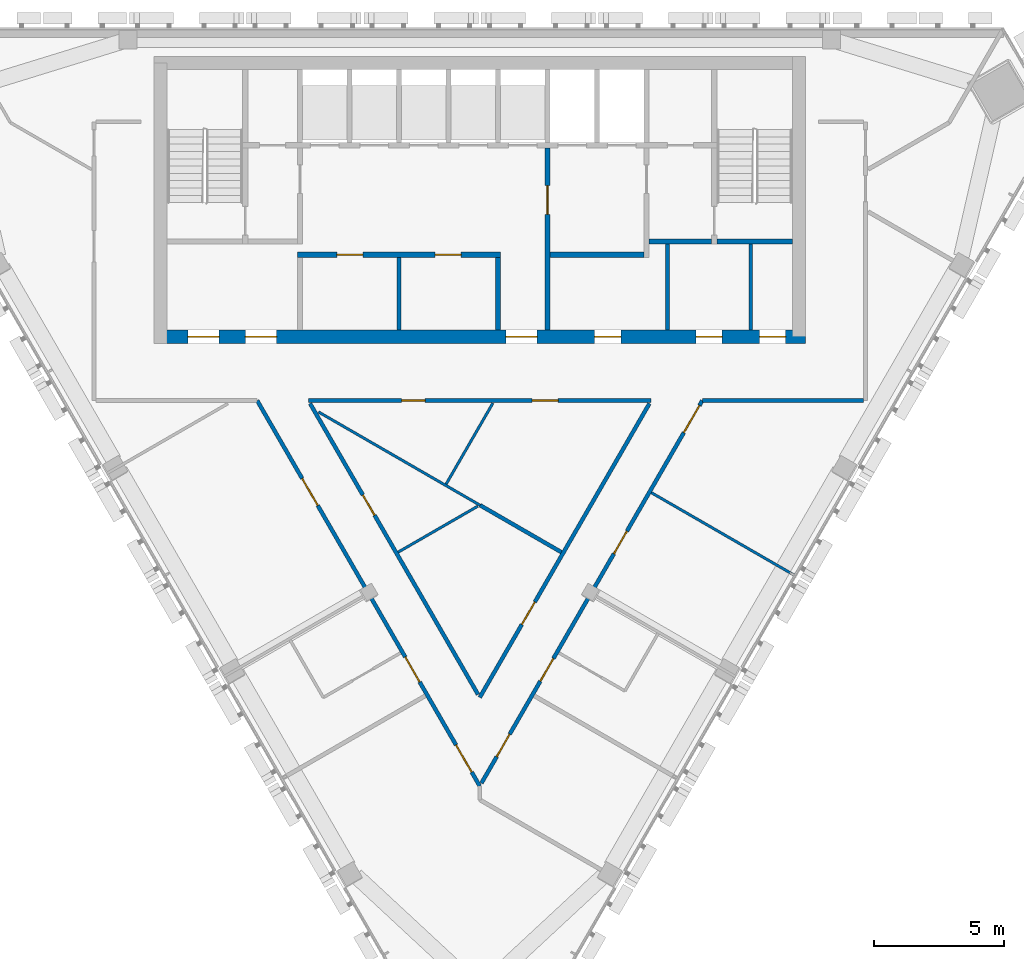
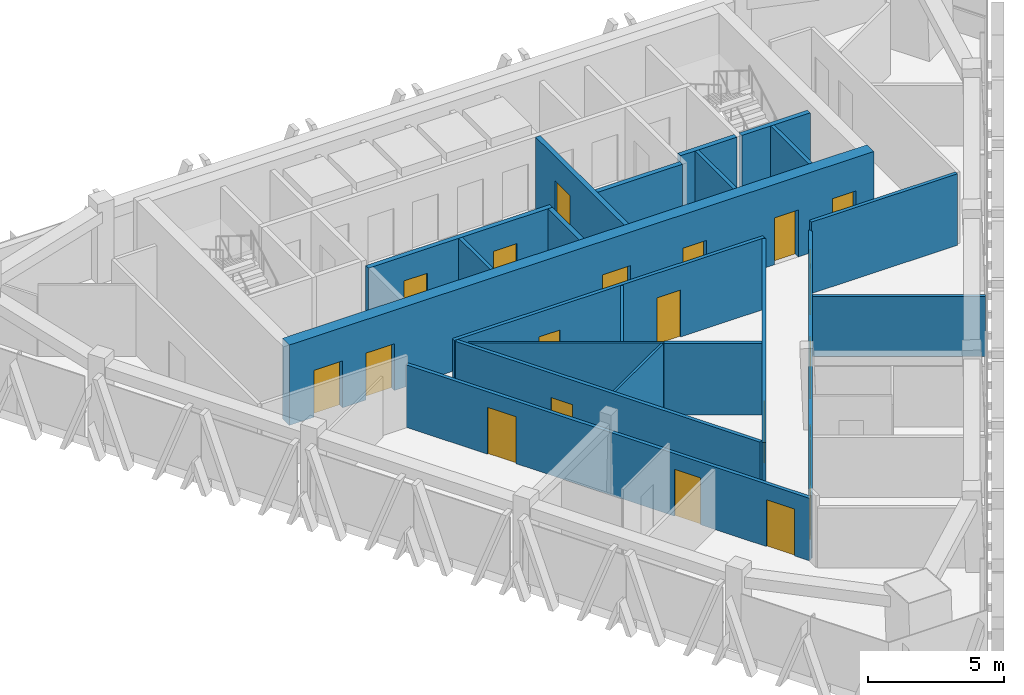
# One storey, part 8 of 12: 21 walls, 20 doors, 20 openings.
"""IFC4 building model written with IfcOpenShell, lengths in metres."""

from ifc_helpers import new_model, si_unit, direction, frame, frame_2d, origin, place, context, subcontext, project, spatial, rectangle, extrude, material, layer, layer_set, type_object, element, fill, save


model = new_model("IFC4")

# Units and contexts
model_context = context("Model", 3, precision=1e-05, world=origin(), true_north=direction((0.0, 1.0)))
body_context = subcontext(model_context, "Body", "Model", "MODEL_VIEW")
ifc_project = project(units=[si_unit("LENGTHUNIT", "METRE"), si_unit("AREAUNIT", "SQUARE_METRE"), si_unit("VOLUMEUNIT", "CUBIC_METRE"), si_unit("PLANEANGLEUNIT", "RADIAN"), si_unit("MASSUNIT", "GRAM", prefix="KILO")], contexts=[model_context])

# Site, building, storey
site_placement = place(None, origin())
site = spatial("IfcSite", under=ifc_project, at=site_placement, CompositionType="ELEMENT")
building_placement = place(site_placement, origin())
building = spatial("IfcBuilding", under=site, at=building_placement, Name="Altiplano Prism Tower", CompositionType="ELEMENT")
storey_placement = place(building_placement, frame((0.0, 0.0, 298.60009765625)))
storey = spatial("IfcBuildingStorey", under=building, at=storey_placement, Name="L77", CompositionType="ELEMENT", Elevation=298.60009765625)

# Wall, openings, doors
ifc_material_1 = material(Name="Concrete C60/75", Category="concrete")
ifc_layer_1 = layer(ifc_material_1, 0.5)
ifc_layer_set_1 = layer_set([ifc_layer_1], Name="Concrete C60/75")
wall_type_1 = type_object("IfcWallType", Name="Core wall 500", PredefinedType="SHEAR", material=ifc_layer_set_1)
wall_1_placement = place(storey_placement, frame((72.75, 93.14990234375, 0.0), z_axis=(0.0, 0.0, 1.0), x_axis=(1.0, 0.0, 0.0)))
wall_1 = element("IfcWall", 1, at=wall_1_placement, inside=storey, type_object=wall_type_1, Name="Core wall S L77", PredefinedType="SHEAR", context=body_context, shape_type="SweptSolid", body=[
    extrude(rectangle(XDim=24.75, YDim=0.5, at=frame_2d((12.375, 0.0))), origin(), (0.0, 0.0, 1.0), 3.599853515625),
])
opening_1_placement = place(wall_1_placement, frame((1.050048828125, 0.0, 0.0)))
opening_1 = element("IfcOpeningElement", 2, at=opening_1_placement, cuts=wall_1, Name="Opening D3668", PredefinedType="OPENING", context=body_context, shape_type="SweptSolid", body=[
    extrude(rectangle(XDim=1.199951171875, YDim=2.10009765625, at=frame_2d((0.60009765625, 1.050048828125))), frame((0.0, 0.260498046875, 0.0), z_axis=(0.0, -1.0, 0.0), x_axis=(1.0, 0.0, 0.0)), (0.0, 0.0, 1.0), 0.52099609375),
])
opening_2_placement = place(wall_1_placement, frame((3.25, 0.0, 0.0)))
opening_2 = element("IfcOpeningElement", 3, at=opening_2_placement, cuts=wall_1, Name="Opening D3669", PredefinedType="OPENING", context=body_context, shape_type="SweptSolid", body=[
    extrude(rectangle(XDim=1.199951171875, YDim=2.10009765625, at=frame_2d((0.60009765625, 1.050048828125))), frame((0.0, 0.260498046875, 0.0), z_axis=(0.0, -1.0, 0.0), x_axis=(1.0, 0.0, 0.0)), (0.0, 0.0, 1.0), 0.52099609375),
])
opening_3_placement = place(wall_1_placement, frame((13.25, 0.0, 0.0)))
opening_3 = element("IfcOpeningElement", 4, at=opening_3_placement, cuts=wall_1, Name="Opening D3670", PredefinedType="OPENING", context=body_context, shape_type="SweptSolid", body=[
    extrude(rectangle(XDim=1.199951171875, YDim=2.10009765625, at=frame_2d((0.60009765625, 1.050048828125))), frame((0.0, 0.260498046875, 0.0), z_axis=(0.0, -1.0, 0.0), x_axis=(1.0, 0.0, 0.0)), (0.0, 0.0, 1.0), 0.52099609375),
])
opening_4_placement = place(wall_1_placement, frame((16.66259765625, 0.0, 0.0)))
opening_4 = element("IfcOpeningElement", 5, at=opening_4_placement, cuts=wall_1, Name="Opening D3673", PredefinedType="OPENING", context=body_context, shape_type="SweptSolid", body=[
    extrude(rectangle(XDim=1.0, YDim=2.10009765625, at=frame_2d((0.5, 1.050048828125))), frame((0.0, 0.260498046875, 0.0), z_axis=(0.0, -1.0, 0.0), x_axis=(1.0, 0.0, 0.0)), (0.0, 0.0, 1.0), 0.52099609375),
])
opening_5_placement = place(wall_1_placement, frame((20.550048828125, 0.0, 0.0)))
opening_5 = element("IfcOpeningElement", 6, at=opening_5_placement, cuts=wall_1, Name="Opening D3674", PredefinedType="OPENING", context=body_context, shape_type="SweptSolid", body=[
    extrude(rectangle(XDim=1.0, YDim=2.10009765625, at=frame_2d((0.5, 1.050048828125))), frame((0.0, 0.260498046875, 0.0), z_axis=(0.0, -1.0, 0.0), x_axis=(1.0, 0.0, 0.0)), (0.0, 0.0, 1.0), 0.52099609375),
])
opening_6_placement = place(wall_1_placement, frame((22.987548828125, 0.0, 0.0)))
opening_6 = element("IfcOpeningElement", 7, at=opening_6_placement, cuts=wall_1, Name="Opening D3675", PredefinedType="OPENING", context=body_context, shape_type="SweptSolid", body=[
    extrude(rectangle(XDim=1.0, YDim=2.10009765625, at=frame_2d((0.5, 1.050048828125))), frame((0.0, 0.260498046875, 0.0), z_axis=(0.0, -1.0, 0.0), x_axis=(1.0, 0.0, 0.0)), (0.0, 0.0, 1.0), 0.52099609375),
])
ifc_material_2 = material(Name="Fire-rated steel door", Category="steel")
door_type_1 = type_object("IfcDoorType", Name="Core room door 1000 x 2100", OperationType="NOTDEFINED", PredefinedType="NOTDEFINED", material=ifc_material_2)
door_1_placement = place(opening_4_placement, origin())
door_1 = element("IfcDoor", 8, at=door_1_placement, inside=storey, type_object=door_type_1, Name="Core room door D3673", OperationType="SINGLE_SWING_RIGHT", OverallHeight=2.10009765625, OverallWidth=1.0, PredefinedType="NOTDEFINED", context=body_context, shape_type="SweptSolid", body=[
    extrude(rectangle(XDim=1.0, YDim=2.10009765625, at=frame_2d((0.5, 1.050048828125))), frame((0.0, 0.02490234375, 0.0), z_axis=(0.0, -1.0, 0.0), x_axis=(1.0, 0.0, 0.0)), (0.0, 0.0, 1.0), 0.050048828125),
])
fill(opening_4, door_1)
door_2_placement = place(opening_5_placement, origin())
door_2 = element("IfcDoor", 9, at=door_2_placement, inside=storey, type_object=door_type_1, Name="Core room door D3674", OperationType="SINGLE_SWING_LEFT", OverallHeight=2.10009765625, OverallWidth=1.0, PredefinedType="NOTDEFINED", context=body_context, shape_type="SweptSolid", body=[
    extrude(rectangle(XDim=1.0, YDim=2.10009765625, at=frame_2d((0.5, 1.050048828125))), frame((0.0, 0.02490234375, 0.0), z_axis=(0.0, -1.0, 0.0), x_axis=(1.0, 0.0, 0.0)), (0.0, 0.0, 1.0), 0.050048828125),
])
fill(opening_5, door_2)
door_3_placement = place(opening_6_placement, origin())
door_3 = element("IfcDoor", 10, at=door_3_placement, inside=storey, type_object=door_type_1, Name="Core room door D3675", OperationType="SINGLE_SWING_RIGHT", OverallHeight=2.10009765625, OverallWidth=1.0, PredefinedType="NOTDEFINED", context=body_context, shape_type="SweptSolid", body=[
    extrude(rectangle(XDim=1.0, YDim=2.10009765625, at=frame_2d((0.5, 1.050048828125))), frame((0.0, 0.02490234375, 0.0), z_axis=(0.0, -1.0, 0.0), x_axis=(1.0, 0.0, 0.0)), (0.0, 0.0, 1.0), 0.050048828125),
])
fill(opening_6, door_3)
door_type_2 = type_object("IfcDoorType", Name="Lobby fire door 1200 x 2100", OperationType="NOTDEFINED", PredefinedType="NOTDEFINED", material=ifc_material_2)
door_4_placement = place(opening_1_placement, origin())
door_4 = element("IfcDoor", 11, at=door_4_placement, inside=storey, type_object=door_type_2, Name="Lobby fire door D3668", OperationType="SINGLE_SWING_RIGHT", OverallHeight=2.10009765625, OverallWidth=1.199951171875, PredefinedType="NOTDEFINED", context=body_context, shape_type="SweptSolid", body=[
    extrude(rectangle(XDim=1.199951171875, YDim=2.10009765625, at=frame_2d((0.60009765625, 1.050048828125))), frame((0.0, 0.02490234375, 0.0), z_axis=(0.0, -1.0, 0.0), x_axis=(1.0, 0.0, 0.0)), (0.0, 0.0, 1.0), 0.050048828125),
])
fill(opening_1, door_4)
door_5_placement = place(opening_2_placement, origin())
door_5 = element("IfcDoor", 12, at=door_5_placement, inside=storey, type_object=door_type_2, Name="Lobby fire door D3669", OperationType="SINGLE_SWING_LEFT", OverallHeight=2.10009765625, OverallWidth=1.199951171875, PredefinedType="NOTDEFINED", context=body_context, shape_type="SweptSolid", body=[
    extrude(rectangle(XDim=1.199951171875, YDim=2.10009765625, at=frame_2d((0.60009765625, 1.050048828125))), frame((0.0, 0.02490234375, 0.0), z_axis=(0.0, -1.0, 0.0), x_axis=(1.0, 0.0, 0.0)), (0.0, 0.0, 1.0), 0.050048828125),
])
fill(opening_2, door_5)
door_6_placement = place(opening_3_placement, origin())
door_6 = element("IfcDoor", 13, at=door_6_placement, inside=storey, type_object=door_type_2, Name="Lobby fire door D3670", OperationType="SINGLE_SWING_RIGHT", OverallHeight=2.10009765625, OverallWidth=1.199951171875, PredefinedType="NOTDEFINED", context=body_context, shape_type="SweptSolid", body=[
    extrude(rectangle(XDim=1.199951171875, YDim=2.10009765625, at=frame_2d((0.60009765625, 1.050048828125))), frame((0.0, 0.02490234375, 0.0), z_axis=(0.0, -1.0, 0.0), x_axis=(1.0, 0.0, 0.0)), (0.0, 0.0, 1.0), 0.050048828125),
])
fill(opening_3, door_6)

# Walls
ifc_material_3 = material(Name="Plasterboard on steel stud", Category="steel")
ifc_layer_2 = layer(ifc_material_3, 0.10009765625)
ifc_layer_set_2 = layer_set([ifc_layer_2], Name="Plasterboard on steel stud")
wall_type_2 = type_object("IfcWallType", Name="Partition 100 wet", PredefinedType="PARTITIONING", material=ifc_layer_set_2)
wall_2_placement = place(storey_placement, frame((85.017333984375, 86.68017578125, 0.0), z_axis=(0.0, 0.0, 1.0), x_axis=(-0.866022766095, 0.500004568584, 0.0)))
element("IfcWall", 14, at=wall_2_placement, inside=storey, type_object=wall_type_2, Name="Partition P03 L77 012", PredefinedType="PARTITIONING", context=body_context, shape_type="SweptSolid", body=[
    extrude(rectangle(XDim=7.16650390625, YDim=0.10009765625, at=frame_2d((3.583251953125, 0.0))), origin(), (0.0, 0.0, 1.0), 3.199951171875),
])
wall_3_placement = place(storey_placement, frame((81.867919921875, 84.8818359375, 0.0), z_axis=(0.0, 0.0, 1.0), x_axis=(0.86604277516, 0.499969910688, 0.0)))
element("IfcWall", 15, at=wall_3_placement, inside=storey, type_object=wall_type_2, Name="Partition P03 L77 013", PredefinedType="PARTITIONING", context=body_context, shape_type="SweptSolid", body=[
    extrude(rectangle(XDim=3.530029296875, YDim=0.10009765625, at=frame_2d((1.76513671875, 0.0))), origin(), (0.0, 0.0, 1.0), 3.199951171875),
])
wall_4_placement = place(storey_placement, frame((83.709228515625, 87.4931640625, 0.0), z_axis=(0.0, 0.0, 1.0), x_axis=(0.499946383232, 0.866056357227, 0.0)))
element("IfcWall", 16, at=wall_4_placement, inside=storey, type_object=wall_type_2, Name="Partition P03 L77 014", PredefinedType="PARTITIONING", context=body_context, shape_type="SweptSolid", body=[
    extrude(rectangle(XDim=3.58642578125, YDim=0.10009765625, at=frame_2d((1.793212890625, 0.0))), origin(), (0.0, 0.0, 1.0), 3.199951171875),
])
wall_5_placement = place(storey_placement, frame((97.082763671875, 83.992431640625, 0.0), z_axis=(0.0, 0.0, 1.0), x_axis=(-0.866025401434, 0.500000004071, 0.0)))
element("IfcWall", 17, at=wall_5_placement, inside=storey, type_object=wall_type_2, Name="Partition P03 L77 029", PredefinedType="PARTITIONING", context=body_context, shape_type="SweptSolid", body=[
    extrude(rectangle(XDim=6.34521484375, YDim=0.10009765625, at=frame_2d((3.172607421875, 0.0))), origin(), (0.0, 0.0, 1.0), 2.699951171875),
])

# Wall, opening, door
ifc_layer_3 = layer(ifc_material_3, 0.14990234375)
ifc_layer_set_3 = layer_set([ifc_layer_3], Name="Plasterboard on steel stud")
wall_type_3 = type_object("IfcWallType", Name="Partition 150 corridor", PredefinedType="PARTITIONING", material=ifc_layer_set_3)
wall_6_placement = place(storey_placement, frame((84.93505859375, 79.419677734375, 0.0), z_axis=(0.0, 0.0, 1.0), x_axis=(-0.500008179984, 0.866020681017, 0.0)))
wall_6 = element("IfcWall", 18, at=wall_6_placement, inside=storey, type_object=wall_type_3, Name="Partition P06 L77 001", PredefinedType="PARTITIONING", context=body_context, shape_type="SweptSolid", body=[
    extrude(rectangle(XDim=12.894287109375, YDim=0.14990234375, at=frame_2d((6.447265625, 0.0))), origin(), (0.0, 0.0, 1.0), 3.199951171875),
])
opening_7_placement = place(wall_6_placement, frame((7.945068359375, 0.0, 0.0)))
opening_7 = element("IfcOpeningElement", 19, at=opening_7_placement, cuts=wall_6, Name="Opening D2342", PredefinedType="OPENING", context=body_context, shape_type="SweptSolid", body=[
    extrude(rectangle(XDim=0.89990234375, YDim=2.10009765625, at=frame_2d((0.449951171875, 1.050048828125))), frame((0.0, 0.08544921875, 0.0), z_axis=(0.0, -1.0, 0.0), x_axis=(1.0, 0.0, 0.0)), (0.0, 0.0, 1.0), 0.1708984375),
])
ifc_material_4 = material(Name="Timber", Category="wood")
door_type_3 = type_object("IfcDoorType", Name="Toilet door 900 x 2100", OperationType="NOTDEFINED", PredefinedType="NOTDEFINED", material=ifc_material_4)
door_7_placement = place(opening_7_placement, origin())
door_7 = element("IfcDoor", 20, at=door_7_placement, inside=storey, type_object=door_type_3, Name="Door D2342", OperationType="SINGLE_SWING_RIGHT", OverallHeight=2.10009765625, OverallWidth=0.89990234375, PredefinedType="NOTDEFINED", context=body_context, shape_type="SweptSolid", body=[
    extrude(rectangle(XDim=0.89990234375, YDim=2.10009765625, at=frame_2d((0.449951171875, 1.050048828125))), frame((0.0, 0.02490234375, 0.0), z_axis=(0.0, -1.0, 0.0), x_axis=(1.0, 0.0, 0.0)), (0.0, 0.0, 1.0), 0.050048828125),
])
fill(opening_7, door_7)

# Wall, openings, doors
wall_7_placement = place(storey_placement, frame((78.4228515625, 90.698974609375, 0.0), z_axis=(0.0, 0.0, 1.0), x_axis=(1.0, 0.0, 0.0)))
wall_7 = element("IfcWall", 21, at=wall_7_placement, inside=storey, type_object=wall_type_3, Name="Partition P06 L77 002", PredefinedType="PARTITIONING", context=body_context, shape_type="SweptSolid", body=[
    extrude(rectangle(XDim=13.154296875, YDim=0.14990234375, at=frame_2d((6.5771484375, 0.0))), origin(), (0.0, 0.0, 1.0), 3.199951171875),
])
opening_8_placement = place(wall_7_placement, frame((3.580078125, 0.0, 0.0)))
opening_8 = element("IfcOpeningElement", 22, at=opening_8_placement, cuts=wall_7, Name="Opening D2343", PredefinedType="OPENING", context=body_context, shape_type="SweptSolid", body=[
    extrude(rectangle(XDim=0.89990234375, YDim=2.10009765625, at=frame_2d((0.449951171875, 1.050048828125))), frame((0.0, 0.08544921875, 0.0), z_axis=(0.0, -1.0, 0.0), x_axis=(1.0, 0.0, 0.0)), (0.0, 0.0, 1.0), 0.1708984375),
])
opening_9_placement = place(wall_7_placement, frame((8.5830078125, 0.0, 0.0)))
opening_9 = element("IfcOpeningElement", 23, at=opening_9_placement, cuts=wall_7, Name="Opening D2345", PredefinedType="OPENING", context=body_context, shape_type="SweptSolid", body=[
    extrude(rectangle(XDim=1.0, YDim=2.10009765625, at=frame_2d((0.5, 1.050048828125))), frame((0.0, 0.08544921875, 0.0), z_axis=(0.0, -1.0, 0.0), x_axis=(1.0, 0.0, 0.0)), (0.0, 0.0, 1.0), 0.1708984375),
])
door_type_4 = type_object("IfcDoorType", Name="Room door 1000 x 2100", OperationType="NOTDEFINED", PredefinedType="NOTDEFINED", material=ifc_material_4)
door_8_placement = place(opening_9_placement, origin())
door_8 = element("IfcDoor", 24, at=door_8_placement, inside=storey, type_object=door_type_4, Name="Door D2345", OperationType="SINGLE_SWING_RIGHT", OverallHeight=2.10009765625, OverallWidth=1.0, PredefinedType="NOTDEFINED", context=body_context, shape_type="SweptSolid", body=[
    extrude(rectangle(XDim=1.0, YDim=2.10009765625, at=frame_2d((0.5, 1.050048828125))), frame((0.0, 0.02490234375, 0.0), z_axis=(0.0, -1.0, 0.0), x_axis=(1.0, 0.0, 0.0)), (0.0, 0.0, 1.0), 0.050048828125),
])
fill(opening_9, door_8)
door_9_placement = place(opening_8_placement, origin())
door_9 = element("IfcDoor", 25, at=door_9_placement, inside=storey, type_object=door_type_3, Name="Door D2343", OperationType="SINGLE_SWING_LEFT", OverallHeight=2.10009765625, OverallWidth=0.89990234375, PredefinedType="NOTDEFINED", context=body_context, shape_type="SweptSolid", body=[
    extrude(rectangle(XDim=0.89990234375, YDim=2.10009765625, at=frame_2d((0.449951171875, 1.050048828125))), frame((0.0, 0.02490234375, 0.0), z_axis=(0.0, -1.0, 0.0), x_axis=(1.0, 0.0, 0.0)), (0.0, 0.0, 1.0), 0.050048828125),
])
fill(opening_8, door_9)

# Wall, opening, door
wall_8_placement = place(storey_placement, frame((91.51220703125, 90.58642578125, 0.0), z_axis=(0.0, 0.0, 1.0), x_axis=(-0.500005870429, -0.866022014464, 0.0)))
wall_8 = element("IfcWall", 26, at=wall_8_placement, inside=storey, type_object=wall_type_3, Name="Partition P06 L77 003", PredefinedType="PARTITIONING", context=body_context, shape_type="SweptSolid", body=[
    extrude(rectangle(XDim=13.024169921875, YDim=0.14990234375, at=frame_2d((6.51220703125, 0.0))), origin(), (0.0, 0.0, 1.0), 3.199951171875),
])
opening_10_placement = place(wall_8_placement, frame((8.794921875, 0.0, 0.0)))
opening_10 = element("IfcOpeningElement", 27, at=opening_10_placement, cuts=wall_8, Name="Opening D2344", PredefinedType="OPENING", context=body_context, shape_type="SweptSolid", body=[
    extrude(rectangle(XDim=1.0, YDim=2.10009765625, at=frame_2d((0.5, 1.050048828125))), frame((0.0, 0.08544921875, 0.0), z_axis=(0.0, -1.0, 0.0), x_axis=(1.0, 0.0, 0.0)), (0.0, 0.0, 1.0), 0.1708984375),
])
door_type_5 = type_object("IfcDoorType", Name="Store door 1000 x 2100", OperationType="NOTDEFINED", PredefinedType="NOTDEFINED", material=ifc_material_4)
door_10_placement = place(opening_10_placement, origin())
door_10 = element("IfcDoor", 28, at=door_10_placement, inside=storey, type_object=door_type_5, Name="Door D2344", OperationType="SINGLE_SWING_RIGHT", OverallHeight=2.10009765625, OverallWidth=1.0, PredefinedType="NOTDEFINED", context=body_context, shape_type="SweptSolid", body=[
    extrude(rectangle(XDim=1.0, YDim=2.10009765625, at=frame_2d((0.5, 1.050048828125))), frame((0.0, 0.02490234375, 0.0), z_axis=(0.0, -1.0, 0.0), x_axis=(1.0, 0.0, 0.0)), (0.0, 0.0, 1.0), 0.050048828125),
])
fill(opening_10, door_10)

# Wall, openings, doors
wall_9_placement = place(storey_placement, frame((76.4580078125, 90.699951171875, 0.0), z_axis=(0.0, 0.0, 1.0), x_axis=(0.500006148819, -0.866021853733, 0.0)))
wall_9 = element("IfcWall", 29, at=wall_9_placement, inside=storey, type_object=wall_type_3, Name="Partition P06 L77 006", PredefinedType="PARTITIONING", context=body_context, shape_type="SweptSolid", body=[
    extrude(rectangle(XDim=17.083740234375, YDim=0.14990234375, at=frame_2d((8.5419921875, 0.0))), origin(), (0.0, 0.0, 1.0), 2.7998046875),
])
opening_11_placement = place(wall_9_placement, frame((3.451904296875, 0.0, 0.0)))
opening_11 = element("IfcOpeningElement", 30, at=opening_11_placement, cuts=wall_9, Name="Opening D2347", PredefinedType="OPENING", context=body_context, shape_type="SweptSolid", body=[
    extrude(rectangle(XDim=1.199951171875, YDim=2.10009765625, at=frame_2d((0.60009765625, 1.050048828125))), frame((0.0, 0.08544921875, 0.0), z_axis=(0.0, -1.0, 0.0), x_axis=(1.0, 0.0, 0.0)), (0.0, 0.0, 1.0), 0.1708984375),
])
opening_12_placement = place(wall_9_placement, frame((11.367919921875, 0.0, 0.0)))
opening_12 = element("IfcOpeningElement", 31, at=opening_12_placement, cuts=wall_9, Name="Opening D2348", PredefinedType="OPENING", context=body_context, shape_type="SweptSolid", body=[
    extrude(rectangle(XDim=1.10009765625, YDim=2.10009765625, at=frame_2d((0.550048828125, 1.050048828125))), frame((0.0, 0.08544921875, 0.0), z_axis=(0.0, -1.0, 0.0), x_axis=(1.0, 0.0, 0.0)), (0.0, 0.0, 1.0), 0.1708984375),
])
opening_13_placement = place(wall_9_placement, frame((15.262939453125, 0.0, 0.0)))
opening_13 = element("IfcOpeningElement", 32, at=opening_13_placement, cuts=wall_9, Name="Opening D2350", PredefinedType="OPENING", context=body_context, shape_type="SweptSolid", body=[
    extrude(rectangle(XDim=1.199951171875, YDim=2.10009765625, at=frame_2d((0.60009765625, 1.050048828125))), frame((0.0, 0.08544921875, 0.0), z_axis=(0.0, -1.0, 0.0), x_axis=(1.0, 0.0, 0.0)), (0.0, 0.0, 1.0), 0.1708984375),
])
door_type_6 = type_object("IfcDoorType", Name="Accessible bedroom door 1100 x 2100", OperationType="NOTDEFINED", PredefinedType="NOTDEFINED", material=ifc_material_4)
door_11_placement = place(opening_12_placement, origin())
door_11 = element("IfcDoor", 33, at=door_11_placement, inside=storey, type_object=door_type_6, Name="Door D2348", OperationType="SINGLE_SWING_RIGHT", OverallHeight=2.10009765625, OverallWidth=1.10009765625, PredefinedType="NOTDEFINED", context=body_context, shape_type="SweptSolid", body=[
    extrude(rectangle(XDim=1.10009765625, YDim=2.10009765625, at=frame_2d((0.550048828125, 1.050048828125))), frame((0.0, 0.02490234375, 0.0), z_axis=(0.0, -1.0, 0.0), x_axis=(1.0, 0.0, 0.0)), (0.0, 0.0, 1.0), 0.050048828125),
])
fill(opening_12, door_11)
door_type_7 = type_object("IfcDoorType", Name="Shared room door 1200 x 2100", OperationType="NOTDEFINED", PredefinedType="NOTDEFINED", material=ifc_material_4)
door_12_placement = place(opening_11_placement, origin())
door_12 = element("IfcDoor", 34, at=door_12_placement, inside=storey, type_object=door_type_7, Name="Door D2347", OperationType="SINGLE_SWING_LEFT", OverallHeight=2.10009765625, OverallWidth=1.199951171875, PredefinedType="NOTDEFINED", context=body_context, shape_type="SweptSolid", body=[
    extrude(rectangle(XDim=1.199951171875, YDim=2.10009765625, at=frame_2d((0.60009765625, 1.050048828125))), frame((0.0, 0.02490234375, 0.0), z_axis=(0.0, -1.0, 0.0), x_axis=(1.0, 0.0, 0.0)), (0.0, 0.0, 1.0), 0.050048828125),
])
fill(opening_11, door_12)
door_13_placement = place(opening_13_placement, origin())
door_13 = element("IfcDoor", 35, at=door_13_placement, inside=storey, type_object=door_type_7, Name="Door D2350", OperationType="SINGLE_SWING_RIGHT", OverallHeight=2.10009765625, OverallWidth=1.199951171875, PredefinedType="NOTDEFINED", context=body_context, shape_type="SweptSolid", body=[
    extrude(rectangle(XDim=1.199951171875, YDim=2.10009765625, at=frame_2d((0.60009765625, 1.050048828125))), frame((0.0, 0.02490234375, 0.0), z_axis=(0.0, -1.0, 0.0), x_axis=(1.0, 0.0, 0.0)), (0.0, 0.0, 1.0), 0.050048828125),
])
fill(opening_13, door_13)

wall_10_placement = place(storey_placement, frame((85.06494140625, 76.017578125, 0.0), z_axis=(0.0, 0.0, 1.0), x_axis=(0.499997107253, 0.866027073906, 0.0)))
wall_10 = element("IfcWall", 36, at=wall_10_placement, inside=storey, type_object=wall_type_3, Name="Partition P06 L77 007", PredefinedType="PARTITIONING", context=body_context, shape_type="SweptSolid", body=[
    extrude(rectangle(XDim=16.95361328125, YDim=0.14990234375, at=frame_2d((8.476806640625, 0.0))), origin(), (0.0, 0.0, 1.0), 2.7998046875),
])
opening_14_placement = place(wall_10_placement, frame((1.169921875, 0.0, 0.0)))
opening_14 = element("IfcOpeningElement", 37, at=opening_14_placement, cuts=wall_10, Name="Opening D2351", PredefinedType="OPENING", context=body_context, shape_type="SweptSolid", body=[
    extrude(rectangle(XDim=1.0, YDim=2.10009765625, at=frame_2d((0.5, 1.050048828125))), frame((0.0, 0.08544921875, 0.0), z_axis=(0.0, -1.0, 0.0), x_axis=(1.0, 0.0, 0.0)), (0.0, 0.0, 1.0), 0.1708984375),
])
opening_15_placement = place(wall_10_placement, frame((4.52001953125, 0.0, 0.0)))
opening_15 = element("IfcOpeningElement", 38, at=opening_15_placement, cuts=wall_10, Name="Opening D2352", PredefinedType="OPENING", context=body_context, shape_type="SweptSolid", body=[
    extrude(rectangle(XDim=1.0, YDim=2.10009765625, at=frame_2d((0.5, 1.050048828125))), frame((0.0, 0.08544921875, 0.0), z_axis=(0.0, -1.0, 0.0), x_axis=(1.0, 0.0, 0.0)), (0.0, 0.0, 1.0), 0.1708984375),
])
opening_16_placement = place(wall_10_placement, frame((10.1650390625, 0.0, 0.0)))
opening_16 = element("IfcOpeningElement", 39, at=opening_16_placement, cuts=wall_10, Name="Opening D2354", PredefinedType="OPENING", context=body_context, shape_type="SweptSolid", body=[
    extrude(rectangle(XDim=1.0, YDim=2.10009765625, at=frame_2d((0.5, 1.050048828125))), frame((0.0, 0.08544921875, 0.0), z_axis=(0.0, -1.0, 0.0), x_axis=(1.0, 0.0, 0.0)), (0.0, 0.0, 1.0), 0.1708984375),
])
opening_17_placement = place(wall_10_placement, frame((15.532958984375, 0.0, 0.0)))
opening_17 = element("IfcOpeningElement", 40, at=opening_17_placement, cuts=wall_10, Name="Opening D2355", PredefinedType="OPENING", context=body_context, shape_type="SweptSolid", body=[
    extrude(rectangle(XDim=1.199951171875, YDim=2.10009765625, at=frame_2d((0.60009765625, 1.050048828125))), frame((0.0, 0.08544921875, 0.0), z_axis=(0.0, -1.0, 0.0), x_axis=(1.0, 0.0, 0.0)), (0.0, 0.0, 1.0), 0.1708984375),
])
door_type_8 = type_object("IfcDoorType", Name="Bedroom entrance door 1000 x 2100", OperationType="NOTDEFINED", PredefinedType="NOTDEFINED", material=ifc_material_4)
door_14_placement = place(opening_15_placement, origin())
door_14 = element("IfcDoor", 41, at=door_14_placement, inside=storey, type_object=door_type_8, Name="Door D2352", OperationType="SINGLE_SWING_LEFT", OverallHeight=2.10009765625, OverallWidth=1.0, PredefinedType="NOTDEFINED", context=body_context, shape_type="SweptSolid", body=[
    extrude(rectangle(XDim=1.0, YDim=2.10009765625, at=frame_2d((0.5, 1.050048828125))), frame((0.0, 0.02490234375, 0.0), z_axis=(0.0, -1.0, 0.0), x_axis=(1.0, 0.0, 0.0)), (0.0, 0.0, 1.0), 0.050048828125),
])
fill(opening_15, door_14)
door_15_placement = place(opening_14_placement, origin())
door_15 = element("IfcDoor", 42, at=door_15_placement, inside=storey, type_object=door_type_4, Name="Door D2351", OperationType="SINGLE_SWING_LEFT", OverallHeight=2.10009765625, OverallWidth=1.0, PredefinedType="NOTDEFINED", context=body_context, shape_type="SweptSolid", body=[
    extrude(rectangle(XDim=1.0, YDim=2.10009765625, at=frame_2d((0.5, 1.050048828125))), frame((0.0, 0.02490234375, 0.0), z_axis=(0.0, -1.0, 0.0), x_axis=(1.0, 0.0, 0.0)), (0.0, 0.0, 1.0), 0.050048828125),
])
fill(opening_14, door_15)
door_16_placement = place(opening_16_placement, origin())
door_16 = element("IfcDoor", 43, at=door_16_placement, inside=storey, type_object=door_type_4, Name="Door D2354", OperationType="SINGLE_SWING_RIGHT", OverallHeight=2.10009765625, OverallWidth=1.0, PredefinedType="NOTDEFINED", context=body_context, shape_type="SweptSolid", body=[
    extrude(rectangle(XDim=1.0, YDim=2.10009765625, at=frame_2d((0.5, 1.050048828125))), frame((0.0, 0.02490234375, 0.0), z_axis=(0.0, -1.0, 0.0), x_axis=(1.0, 0.0, 0.0)), (0.0, 0.0, 1.0), 0.050048828125),
])
fill(opening_16, door_16)
door_17_placement = place(opening_17_placement, origin())
door_17 = element("IfcDoor", 44, at=door_17_placement, inside=storey, type_object=door_type_7, Name="Door D2355", OperationType="SINGLE_SWING_LEFT", OverallHeight=2.10009765625, OverallWidth=1.199951171875, PredefinedType="NOTDEFINED", context=body_context, shape_type="SweptSolid", body=[
    extrude(rectangle(XDim=1.199951171875, YDim=2.10009765625, at=frame_2d((0.60009765625, 1.050048828125))), frame((0.0, 0.02490234375, 0.0), z_axis=(0.0, -1.0, 0.0), x_axis=(1.0, 0.0, 0.0)), (0.0, 0.0, 1.0), 0.050048828125),
])
fill(opening_17, door_17)

# Walls
wall_11_placement = place(storey_placement, frame((93.541748046875, 90.699951171875, 0.0), z_axis=(0.0, 0.0, 1.0), x_axis=(1.0, 0.0, 0.0)))
element("IfcWall", 45, at=wall_11_placement, inside=storey, type_object=wall_type_3, Name="Partition P06 L77 008", PredefinedType="PARTITIONING", context=body_context, shape_type="SweptSolid", body=[
    extrude(rectangle(XDim=6.183349609375, YDim=0.14990234375, at=frame_2d((3.091796875, 0.0))), origin(), (0.0, 0.0, 1.0), 3.199951171875),
])
ifc_layer_4 = layer(ifc_material_3, 0.14990234375)
ifc_layer_set_4 = layer_set([ifc_layer_4], Name="Plasterboard on steel stud")
wall_type_4 = type_object("IfcWallType", Name="Partition 150 party", PredefinedType="PARTITIONING", material=ifc_layer_set_4)
wall_12_placement = place(storey_placement, frame((88.132080078125, 84.8818359375, 0.0), z_axis=(0.0, 0.0, 1.0), x_axis=(-0.866020546064, 0.500008413725, 0.0)))
element("IfcWall", 46, at=wall_12_placement, inside=storey, type_object=wall_type_4, Name="Partition P01 L77 015", PredefinedType="PARTITIONING", context=body_context, shape_type="SweptSolid", body=[
    extrude(rectangle(XDim=3.5966796875, YDim=0.14990234375, at=frame_2d((1.79833984375, 0.0))), origin(), (0.0, 0.0, 1.0), 3.199951171875),
])
ifc_material_5 = material(Name="Fire-rated gypsum board partition")
ifc_layer_5 = layer(ifc_material_5, 0.14990234375)
ifc_layer_set_5 = layer_set([ifc_layer_5], Name="Fire-rated gypsum board partition")
wall_type_5 = type_object("IfcWallType", Name="Room partition 150", PredefinedType="PARTITIONING", material=ifc_layer_set_5)
wall_13_placement = place(storey_placement, frame((81.89990234375, 93.39990234375, 0.0), z_axis=(0.0, 0.0, 1.0), x_axis=(0.0, 1.0, 0.0)))
element("IfcWall", 47, at=wall_13_placement, inside=storey, type_object=wall_type_5, Name="Room partition L77", PredefinedType="PARTITIONING", context=body_context, shape_type="SweptSolid", body=[
    extrude(rectangle(XDim=2.800048828125, YDim=0.14990234375, at=frame_2d((1.39990234375, 0.0))), origin(), (0.0, 0.0, 1.0), 3.199951171875),
])
for number, where, z_axis, x_axis, name in (
    (48, (92.199951171875, 93.39990234375, 0.0), (0.0, 0.0, 1.0), (0.0, 1.0, 0.0), "Room partition L77"),
    (49, (95.39990234375, 93.39990234375, 0.0), (0.0, 0.0, 1.0), (0.0, 1.0, 0.0), "Room partition L77"),
):
    element("IfcWall", number, at=place(storey_placement, frame(where, z_axis=z_axis, x_axis=x_axis)), inside=storey, type_object=wall_type_5, Name=name, PredefinedType="PARTITIONING", context=body_context, shape_type="SweptSolid", body=[
        extrude(rectangle(XDim=3.300048828125, YDim=0.14990234375, at=frame_2d((1.64990234375, 0.0))), origin(), (0.0, 0.0, 1.0), 3.199951171875),
    ])
ifc_layer_6 = layer(ifc_material_1, 0.199951171875)
ifc_layer_set_6 = layer_set([ifc_layer_6], Name="Concrete C60/75")
wall_type_6 = type_object("IfcWallType", Name="Stair wall 200", PredefinedType="SOLIDWALL", material=ifc_layer_set_6)
wall_14_placement = place(storey_placement, frame((94.10009765625, 96.800048828125, 0.0), z_axis=(0.0, 0.0, 1.0), x_axis=(1.0, 0.0, 0.0)))
element("IfcWall", 50, at=wall_14_placement, inside=storey, type_object=wall_type_6, Name="Stair wall L77", PredefinedType="SOLIDWALL", context=body_context, shape_type="SweptSolid", body=[
    extrude(rectangle(XDim=2.89990234375, YDim=0.199951171875, at=frame_2d((1.449951171875, 0.0))), origin(), (0.0, 0.0, 1.0), 3.199951171875),
])
ifc_layer_7 = layer(ifc_material_1, 0.199951171875)
ifc_layer_set_7 = layer_set([ifc_layer_7], Name="Concrete C60/75")
wall_type_7 = type_object("IfcWallType", Name="Vestibule wall 200", PredefinedType="PARTITIONING", material=ifc_layer_set_7)
wall_15_placement = place(storey_placement, frame((85.699951171875, 93.39990234375, 0.0), z_axis=(0.0, 0.0, 1.0), x_axis=(0.0, 1.0, 0.0)))
element("IfcWall", 51, at=wall_15_placement, inside=storey, type_object=wall_type_7, Name="Vestibule wall L77", PredefinedType="PARTITIONING", context=body_context, shape_type="SweptSolid", body=[
    extrude(rectangle(XDim=2.800048828125, YDim=0.199951171875, at=frame_2d((1.39990234375, 0.0))), origin(), (0.0, 0.0, 1.0), 3.199951171875),
])

# Wall, opening, door
wall_16_placement = place(storey_placement, frame((87.60009765625, 93.39990234375, 0.0), z_axis=(0.0, 0.0, 1.0), x_axis=(0.0, 1.0, 0.0)))
wall_16 = element("IfcWall", 52, at=wall_16_placement, inside=storey, type_object=wall_type_7, Name="Vestibule wall L77", PredefinedType="PARTITIONING", context=body_context, shape_type="SweptSolid", body=[
    extrude(rectangle(XDim=7.0, YDim=0.199951171875, at=frame_2d((3.5, 0.0))), origin(), (0.0, 0.0, 1.0), 3.199951171875),
])
opening_18_placement = place(wall_16_placement, frame((4.449951171875, 0.0, 0.0)))
opening_18 = element("IfcOpeningElement", 53, at=opening_18_placement, cuts=wall_16, Name="Opening D3666", PredefinedType="OPENING", context=body_context, shape_type="SweptSolid", body=[
    extrude(rectangle(XDim=1.10009765625, YDim=2.10009765625, at=frame_2d((0.550048828125, 1.050048828125))), frame((0.0, 0.1103515625, 0.0), z_axis=(0.0, -1.0, 0.0), x_axis=(1.0, 0.0, 0.0)), (0.0, 0.0, 1.0), 0.220947265625),
])
door_type_9 = type_object("IfcDoorType", Name="Vestibule fire door 1100 x 2100", OperationType="NOTDEFINED", PredefinedType="NOTDEFINED", material=ifc_material_2)
door_18_placement = place(opening_18_placement, origin())
door_18 = element("IfcDoor", 54, at=door_18_placement, inside=storey, type_object=door_type_9, Name="Vestibule fire door D3666", OperationType="SINGLE_SWING_RIGHT", OverallHeight=2.10009765625, OverallWidth=1.10009765625, PredefinedType="NOTDEFINED", context=body_context, shape_type="SweptSolid", body=[
    extrude(rectangle(XDim=1.10009765625, YDim=2.10009765625, at=frame_2d((0.550048828125, 1.050048828125))), frame((0.0, 0.02490234375, 0.0), z_axis=(0.0, -1.0, 0.0), x_axis=(1.0, 0.0, 0.0)), (0.0, 0.0, 1.0), 0.050048828125),
])
fill(opening_18, door_18)

# Wall, openings, doors
wall_17_placement = place(storey_placement, frame((78.0, 96.300048828125, 0.0), z_axis=(0.0, 0.0, 1.0), x_axis=(1.0, 0.0, 0.0)))
wall_17 = element("IfcWall", 55, at=wall_17_placement, inside=storey, type_object=wall_type_7, Name="Vestibule wall L77", PredefinedType="PARTITIONING", context=body_context, shape_type="SweptSolid", body=[
    extrude(rectangle(XDim=7.800048828125, YDim=0.199951171875, at=frame_2d((3.89990234375, 0.0))), origin(), (0.0, 0.0, 1.0), 3.199951171875),
])
opening_19_placement = place(wall_17_placement, frame((1.512451171875, 0.0, 0.0)))
opening_19 = element("IfcOpeningElement", 56, at=opening_19_placement, cuts=wall_17, Name="Opening D3676", PredefinedType="OPENING", context=body_context, shape_type="SweptSolid", body=[
    extrude(rectangle(XDim=1.0, YDim=2.10009765625, at=frame_2d((0.5, 1.050048828125))), frame((0.0, 0.1103515625, 0.0), z_axis=(0.0, -1.0, 0.0), x_axis=(1.0, 0.0, 0.0)), (0.0, 0.0, 1.0), 0.220947265625),
])
opening_20_placement = place(wall_17_placement, frame((5.28759765625, 0.0, 0.0)))
opening_20 = element("IfcOpeningElement", 57, at=opening_20_placement, cuts=wall_17, Name="Opening D3677", PredefinedType="OPENING", context=body_context, shape_type="SweptSolid", body=[
    extrude(rectangle(XDim=1.0, YDim=2.10009765625, at=frame_2d((0.5, 1.050048828125))), frame((0.0, 0.1103515625, 0.0), z_axis=(0.0, -1.0, 0.0), x_axis=(1.0, 0.0, 0.0)), (0.0, 0.0, 1.0), 0.220947265625),
])
door_19_placement = place(opening_19_placement, origin())
door_19 = element("IfcDoor", 58, at=door_19_placement, inside=storey, type_object=door_type_1, Name="Core room door D3676", OperationType="SINGLE_SWING_RIGHT", OverallHeight=2.10009765625, OverallWidth=1.0, PredefinedType="NOTDEFINED", context=body_context, shape_type="SweptSolid", body=[
    extrude(rectangle(XDim=1.0, YDim=2.10009765625, at=frame_2d((0.5, 1.050048828125))), frame((0.0, 0.02490234375, 0.0), z_axis=(0.0, -1.0, 0.0), x_axis=(1.0, 0.0, 0.0)), (0.0, 0.0, 1.0), 0.050048828125),
])
fill(opening_19, door_19)
door_20_placement = place(opening_20_placement, origin())
door_20 = element("IfcDoor", 59, at=door_20_placement, inside=storey, type_object=door_type_1, Name="Core room door D3677", OperationType="SINGLE_SWING_RIGHT", OverallHeight=2.10009765625, OverallWidth=1.0, PredefinedType="NOTDEFINED", context=body_context, shape_type="SweptSolid", body=[
    extrude(rectangle(XDim=1.0, YDim=2.10009765625, at=frame_2d((0.5, 1.050048828125))), frame((0.0, 0.02490234375, 0.0), z_axis=(0.0, -1.0, 0.0), x_axis=(1.0, 0.0, 0.0)), (0.0, 0.0, 1.0), 0.050048828125),
])
fill(opening_20, door_20)

# Walls
wall_18_placement = place(storey_placement, frame((87.699951171875, 96.300048828125, 0.0), z_axis=(0.0, 0.0, 1.0), x_axis=(1.0, 0.0, 0.0)))
element("IfcWall", 60, at=wall_18_placement, inside=storey, type_object=wall_type_7, Name="Vestibule wall L77", PredefinedType="PARTITIONING", context=body_context, shape_type="SweptSolid", body=[
    extrude(rectangle(XDim=3.60009765625, YDim=0.199951171875, at=frame_2d((1.800048828125, 0.0))), origin(), (0.0, 0.0, 1.0), 3.199951171875),
])
wall_19_placement = place(storey_placement, frame((91.5, 96.800048828125, 0.0), z_axis=(0.0, 0.0, 1.0), x_axis=(1.0, 0.0, 0.0)))
element("IfcWall", 61, at=wall_19_placement, inside=storey, type_object=wall_type_7, Name="Vestibule wall L77", PredefinedType="PARTITIONING", context=body_context, shape_type="SweptSolid", body=[
    extrude(rectangle(XDim=2.39990234375, YDim=0.199951171875, at=frame_2d((1.199951171875, 0.0))), origin(), (0.0, 0.0, 1.0), 3.199951171875),
])

save(model, "model.ifc")
